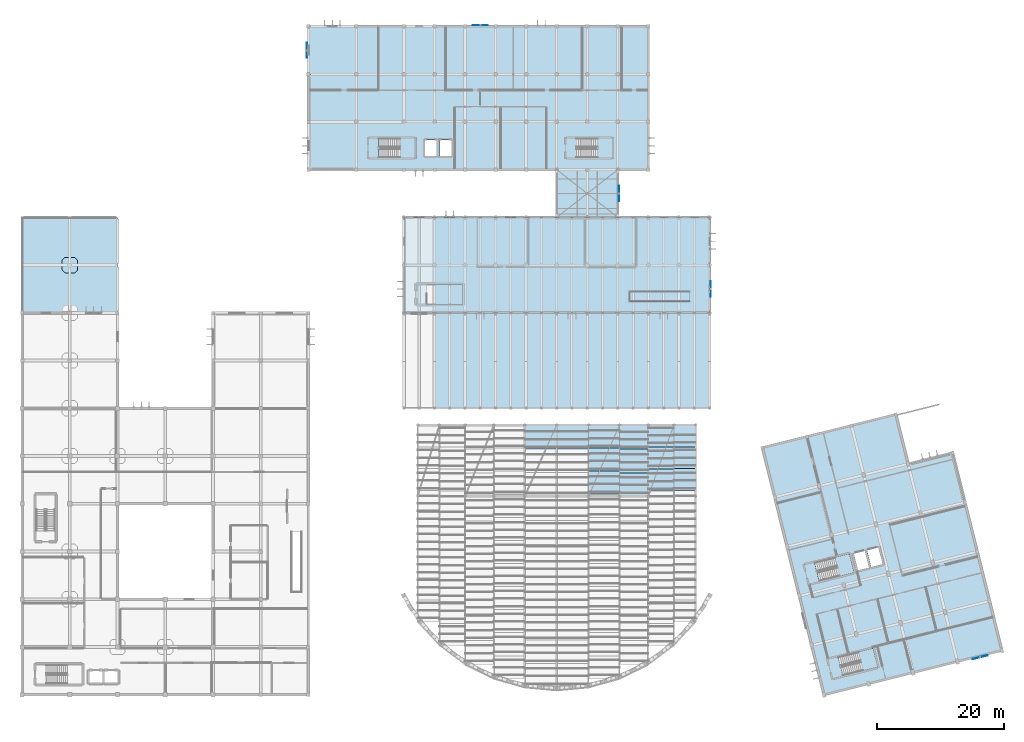
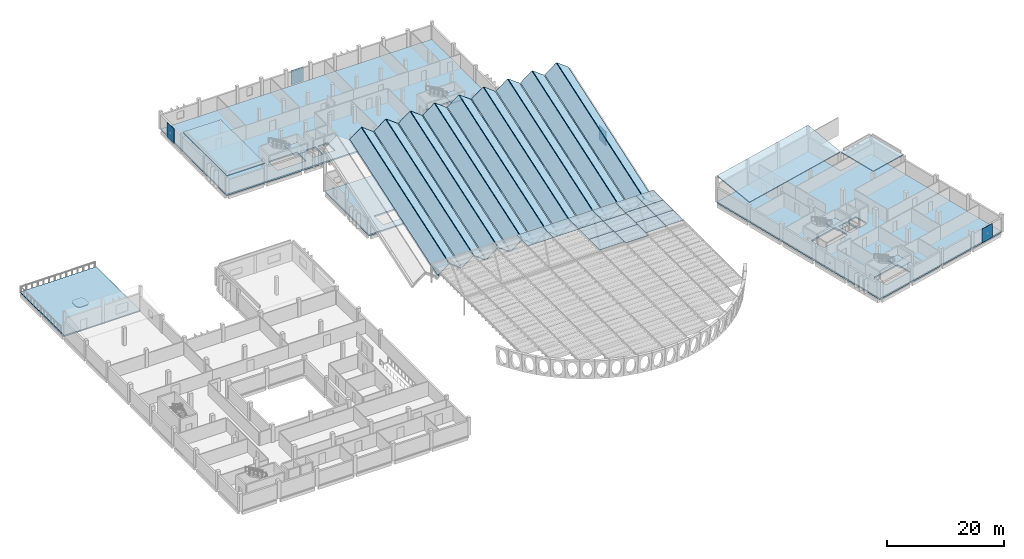
# One storey, part 20 of 47: 31 slabs, 19 plates, 4 elements without a shape of their own.
"""IFC4 building model written with IfcOpenShell, lengths in metres."""

from ifc_helpers import new_model, si_unit, direction, frame, origin, origin_2d, place, context, subcontext, project, spatial, polyline, rectangle, outline, extrude, material, layer, layer_set, type_object, element, aggregate, save


model = new_model("IFC4")

# Units and contexts
model_context = context("Model", 3, precision=1e-05, world=origin(), true_north=direction((0.0, 1.0)))
body_context = subcontext(model_context, "Body", "Model", "MODEL_VIEW")
ifc_project = project(units=[si_unit("LENGTHUNIT", "METRE"), si_unit("AREAUNIT", "SQUARE_METRE"), si_unit("VOLUMEUNIT", "CUBIC_METRE"), si_unit("PLANEANGLEUNIT", "RADIAN"), si_unit("MASSUNIT", "GRAM", prefix="KILO")], contexts=[model_context])

# Site, building, storey
site_placement = place(None, origin())
site = spatial("IfcSite", under=ifc_project, at=site_placement, CompositionType="ELEMENT")
building_placement = place(site_placement, origin())
building = spatial("IfcBuilding", under=site, at=building_placement, Name="Mawjan Specialist Oncology Clinic", CompositionType="ELEMENT")
storey_placement = place(building_placement, frame((0.0, 0.0, 9.5)))
storey = spatial("IfcBuildingStorey", under=building, at=storey_placement, Name="L02", CompositionType="ELEMENT", Elevation=9.5)

# Plates
ifc_material_1 = material(Name="Laminated solar-control safety glass", Category="glass")
ifc_layer_1 = layer(ifc_material_1, 0.028076171875, Name="Laminated solar-control safety glass", Category="glass")
ifc_layer_set_1 = layer_set([ifc_layer_1], Name="Laminated solar-control safety glass")
plate_type_1 = type_object("IfcPlateType", Name="CG-28", PredefinedType="SHEET", material=ifc_layer_set_1)
for number, where, z_axis, x_axis, name in (
    (1, (81.49072265625, 41.32373046875, 3.89990234375), (0.0, 0.0, 1.0), (1.0, 0.0, 0.0), "Canopy Laminated Glass Panel CG-051"),
    (2, (86.50927734375, 41.32373046875, 3.89990234375), (0.0, 0.0, 1.0), (1.0, 0.0, 0.0), "Canopy Laminated Glass Panel CG-062"),
):
    element("IfcPlate", number, at=place(storey_placement, frame(where, z_axis=z_axis, x_axis=x_axis)), inside=storey, type_object=plate_type_1, Name=name, PredefinedType="SHEET", context=body_context, shape_type="SweptSolid", body=[
        extrude(rectangle(XDim=5.018310546875, YDim=3.75244140625, at=origin_2d()), origin(), (0.0, 0.0, 1.0), 0.028076171875),
    ])
for number, where, z_axis, x_axis, name in (
    (3, (91.443603515625, 34.129638671875, 3.89990234375), (0.0, 0.0, 1.0), (1.0, 0.0, 0.0), "Canopy Laminated Glass Panel CG-071"),
    (4, (91.443603515625, 37.7578125, 3.89990234375), (0.0, 0.0, 1.0), (1.0, 0.0, 0.0), "Canopy Laminated Glass Panel CG-072"),
    (5, (91.443603515625, 41.385986328125, 3.89990234375), (0.0, 0.0, 1.0), (1.0, 0.0, 0.0), "Canopy Laminated Glass Panel CG-073"),
):
    element("IfcPlate", number, at=place(storey_placement, frame(where, z_axis=z_axis, x_axis=x_axis)), inside=storey, type_object=plate_type_1, Name=name, PredefinedType="SHEET", context=body_context, shape_type="SweptSolid", body=[
        extrude(rectangle(XDim=4.850341796875, YDim=3.628173828125, at=origin_2d()), origin(), (0.0, 0.0, 1.0), 0.028076171875),
    ])
for number, where, z_axis, x_axis, name in (
    (6, (96.128662109375, 33.780029296875, 3.89990234375), (0.0, 0.0, 1.0), (1.0, 0.0, 0.0), "Canopy Laminated Glass Panel CG-081"),
    (7, (96.128662109375, 37.548095703125, 3.89990234375), (0.0, 0.0, 1.0), (1.0, 0.0, 0.0), "Canopy Laminated Glass Panel CG-082"),
    (8, (96.128662109375, 41.31591796875, 3.89990234375), (0.0, 0.0, 1.0), (1.0, 0.0, 0.0), "Canopy Laminated Glass Panel CG-083"),
):
    element("IfcPlate", number, at=place(storey_placement, frame(where, z_axis=z_axis, x_axis=x_axis)), inside=storey, type_object=plate_type_1, Name=name, PredefinedType="SHEET", context=body_context, shape_type="SweptSolid", body=[
        extrude(rectangle(XDim=4.519775390625, YDim=3.76806640625, at=origin_2d()), origin(), (0.0, 0.0, 1.0), 0.028076171875),
    ])
for number, where, z_axis, x_axis, name in (
    (9, (100.40771484375, 34.53369140625, 3.89990234375), (0.0, 0.0, 1.0), (1.0, 0.0, 0.0), "Canopy Laminated Glass Panel CG-091"),
    (10, (100.40771484375, 38.000244140625, 3.89990234375), (0.0, 0.0, 1.0), (1.0, 0.0, 0.0), "Canopy Laminated Glass Panel CG-092"),
    (11, (100.40771484375, 41.466796875, 3.89990234375), (0.0, 0.0, 1.0), (1.0, 0.0, 0.0), "Canopy Laminated Glass Panel CG-093"),
):
    element("IfcPlate", number, at=place(storey_placement, frame(where, z_axis=z_axis, x_axis=x_axis)), inside=storey, type_object=plate_type_1, Name=name, PredefinedType="SHEET", context=body_context, shape_type="SweptSolid", body=[
        extrude(rectangle(XDim=4.0380859375, YDim=3.466552734375, at=origin_2d()), origin(), (0.0, 0.0, 1.0), 0.028076171875),
    ])
for number, where, z_axis, x_axis, name in (
    (12, (104.136962890625, 34.598876953125, 3.89990234375), (0.0, 0.0, 1.0), (1.0, 0.0, 0.0), "Canopy Laminated Glass Panel CG-100"),
    (13, (104.136962890625, 38.039306640625, 3.89990234375), (0.0, 0.0, 1.0), (1.0, 0.0, 0.0), "Canopy Laminated Glass Panel CG-101"),
    (14, (104.136962890625, 41.479736328125, 3.89990234375), (0.0, 0.0, 1.0), (1.0, 0.0, 0.0), "Canopy Laminated Glass Panel CG-102"),
):
    element("IfcPlate", number, at=place(storey_placement, frame(where, z_axis=z_axis, x_axis=x_axis)), inside=storey, type_object=plate_type_1, Name=name, PredefinedType="SHEET", context=body_context, shape_type="SweptSolid", body=[
        extrude(rectangle(XDim=3.4208984375, YDim=3.4404296875, at=origin_2d()), origin(), (0.0, 0.0, 1.0), 0.028076171875),
    ])

# Slabs
ifc_material_2 = material(Name="Concrete C35/45", Category="concrete")
ifc_layer_2 = layer(ifc_material_2, 0.219970703125, Name="Concrete C35/45", Category="concrete")
ifc_layer_set_2 = layer_set([ifc_layer_2], Name="Concrete C35/45")
slab_type_1 = type_object("IfcSlabType", Name="DP-220", PredefinedType="FLOOR", material=ifc_layer_set_2)
slab_1_placement = place(storey_placement, frame((0.0, 0.0, -0.469970703125)))
element("IfcSlab", 15, at=slab_1_placement, inside=storey, type_object=slab_type_1, Name="L02 Octagonal Column Drop Panel DP-L02-023", PredefinedType="FLOOR", context=body_context, shape_type="SweptSolid", body=[
    extrude(outline(polyline([(6.719970703125, 67.10009765625), (8.280029296875, 67.10009765625), (8.699951171875, 67.52001953125), (8.699951171875, 69.080078125), (8.280029296875, 69.5), (6.719970703125, 69.5), (6.300048828125, 69.080078125), (6.300048828125, 67.52001953125), (6.719970703125, 67.10009765625)])), origin(), (0.0, 0.0, 1.0), 0.219970703125),
])
ifc_material_3 = material(Name="Concrete C35/45", Category="concrete")
ifc_layer_3 = layer(ifc_material_3, 0.199951171875, Name="Concrete C35/45", Category="concrete")
ifc_layer_set_3 = layer_set([ifc_layer_3], Name="Concrete C35/45")
slab_type_2 = type_object("IfcSlabType", Name="FS-200B", PredefinedType="FLOOR", material=ifc_layer_set_3)
slab_2_placement = place(storey_placement, frame((0.0, 0.0, -0.199951171875)))
element("IfcSlab", 16, at=slab_2_placement, inside=storey, type_object=slab_type_2, Name="L02 Day Procedure and Pharmacy Wing Slab SLB-SBR-L02", PredefinedType="FLOOR", context=body_context, shape_type="SweptSolid", body=[
    extrude(outline(polyline([(84.0, 75.800048828125), (93.60009765625, 75.800048828125), (93.60009765625, 83.300048828125), (84.0, 83.300048828125), (84.0, 75.800048828125)])), origin(), (0.0, 0.0, 1.0), 0.199951171875),
])
ifc_material_4 = material(Name="Concrete C35/45", Category="concrete")
ifc_layer_4 = layer(ifc_material_4, 0.300048828125, Name="Concrete C35/45", Category="concrete")
ifc_layer_set_4 = layer_set([ifc_layer_4], Name="Concrete C35/45")
slab_type_3 = type_object("IfcSlabType", Name="FS-300", PredefinedType="FLOOR", material=ifc_layer_set_4)
slab_3_placement = place(storey_placement, frame((0.0, 0.0, -0.300048828125)))
element("IfcSlab", 17, at=slab_3_placement, inside=storey, type_object=slab_type_3, Name="L02 Treatment and Infusion Hall Slab SLB-V1-L02", PredefinedType="FLOOR", context=body_context, shape_type="SweptSolid", body=[
    extrude(outline(polyline([(60.0, 60.800048828125), (108.0, 60.800048828125), (108.0, 75.800048828125), (60.0, 75.800048828125), (60.0, 60.800048828125)]), holes=[polyline([(63.60009765625, 62.199951171875), (69.199951171875, 62.199951171875), (69.199951171875, 65.199951171875), (63.60009765625, 65.199951171875), (63.60009765625, 62.199951171875)]), polyline([(95.5, 62.625), (104.89990234375, 62.625), (104.89990234375, 64.074951171875), (95.5, 64.074951171875), (95.5, 62.625)])]), origin(), (0.0, 0.0, 1.0), 0.300048828125),
])
slab_4_placement = place(storey_placement, frame((0.0, 0.0, -0.300048828125)))
element("IfcSlab", 18, at=slab_4_placement, inside=storey, type_object=slab_type_3, Name="L02 Day Procedure and Pharmacy Wing Slab SLB-V5-L02", PredefinedType="FLOOR", context=body_context, shape_type="SweptSolid", body=[
    extrude(outline(polyline([(45.0, 83.300048828125), (98.39990234375, 83.300048828125), (98.39990234375, 105.800048828125), (45.0, 105.800048828125), (45.0, 83.300048828125)]), holes=[polyline([(56.10009765625, 85.199951171875), (61.699951171875, 85.199951171875), (61.699951171875, 88.199951171875), (56.10009765625, 88.199951171875), (56.10009765625, 85.199951171875)]), polyline([(63.25, 85.449951171875), (65.14990234375, 85.449951171875), (65.14990234375, 87.949951171875), (63.25, 87.949951171875), (63.25, 85.449951171875)]), polyline([(65.64990234375, 85.449951171875), (67.550048828125, 85.449951171875), (67.550048828125, 87.949951171875), (65.64990234375, 87.949951171875), (65.64990234375, 85.449951171875)]), polyline([(87.10009765625, 85.199951171875), (92.699951171875, 85.199951171875), (92.699951171875, 88.199951171875), (87.10009765625, 88.199951171875), (87.10009765625, 85.199951171875)])]), origin(), (0.0, 0.0, 1.0), 0.300048828125),
])
ifc_material_5 = material(Name="Concrete C35/45", Category="concrete")
ifc_layer_5 = layer(ifc_material_5, 0.300048828125, Name="Concrete C35/45", Category="concrete")
ifc_layer_set_5 = layer_set([ifc_layer_5], Name="Concrete C35/45")
slab_type_4 = type_object("IfcSlabType", Name="FS-300R", PredefinedType="FLOOR", material=ifc_layer_set_5)
slab_5_placement = place(storey_placement, frame((0.0, 0.0, -0.300048828125)))
element("IfcSlab", 19, at=slab_5_placement, inside=storey, type_object=slab_type_4, Name="L02 Research and Teaching Wing Slab SLB-V6-L02", PredefinedType="FLOOR", context=body_context, shape_type="SweptSolid", body=[
    extrude(outline(polyline([(126.0, 0.800048828125), (153.944580078125, 7.767333984375), (146.203125, 38.81689453125), (139.216796875, 37.074951171875), (137.281494140625, 44.83740234375), (116.3232421875, 39.61181640625), (126.0, 0.800048828125)]), holes=[polyline([(125.259521484375, 18.651123046875), (130.693115234375, 20.005859375), (129.96728515625, 22.916748046875), (124.53369140625, 21.56201171875), (125.259521484375, 18.651123046875)]), polyline([(131.28759765625, 20.30859375), (133.131103515625, 20.768310546875), (132.477783203125, 23.38818359375), (130.63427734375, 22.928466796875), (131.28759765625, 20.30859375)]), polyline([(133.422119140625, 20.8408203125), (135.265625, 21.300537109375), (134.612548828125, 23.92041015625), (132.76904296875, 23.460693359375), (133.422119140625, 20.8408203125)]), polyline([(128.9609375, 3.8056640625), (134.39453125, 5.160400390625), (133.668701171875, 8.0712890625), (128.235107421875, 6.716552734375), (128.9609375, 3.8056640625)])]), origin(), (0.0, 0.0, 1.0), 0.300048828125),
])

# Stair, slab
ifc_material_6 = material(Name="Concrete C35/45", Category="concrete")
stair_type = type_object("IfcStairType", Name="STR-CORE40", PredefinedType="HALF_TURN_STAIR", material=ifc_material_6)
stair_1_placement = place(storey_placement, origin())
stair_1 = element("IfcStair", 20, at=stair_1_placement, inside=storey, type_object=stair_type, Name="L02 Exit Stair ST-03", PredefinedType="HALF_TURN_STAIR")
ifc_material_7 = material(Name="Concrete C35/45", Category="concrete")
ifc_layer_6 = layer(ifc_material_7, 0.199951171875, Name="Concrete C35/45", Category="concrete")
ifc_layer_set_6 = layer_set([ifc_layer_6], Name="Concrete C35/45")
slab_type_5 = type_object("IfcSlabType", Name="LND-200", PredefinedType="LANDING", material=ifc_layer_set_6)
slab_6_placement = place(storey_placement, frame((0.0, 0.0, 1.800048828125)))
slab_6 = element("IfcSlab", 21, at=slab_6_placement, type_object=slab_type_5, Name="ST-03 landing 1", PredefinedType="LANDING", context=body_context, shape_type="SweptSolid", body=[
    extrude(outline(polyline([(59.363525390625, 85.15234375), (61.736572265625, 85.15234375), (61.736572265625, 88.24755859375), (59.363525390625, 88.24755859375), (59.363525390625, 85.15234375)])), origin(), (0.0, 0.0, 1.0), 0.199951171875),
])
aggregate(stair_1, [slab_6])

stair_2_placement = place(storey_placement, origin())
stair_2 = element("IfcStair", 22, at=stair_2_placement, inside=storey, type_object=stair_type, Name="L02 Exit Stair ST-04", PredefinedType="HALF_TURN_STAIR")
slab_7_placement = place(storey_placement, frame((0.0, 0.0, 1.800048828125)))
slab_7 = element("IfcSlab", 23, at=slab_7_placement, type_object=slab_type_5, Name="ST-04 landing 1", PredefinedType="LANDING", context=body_context, shape_type="SweptSolid", body=[
    extrude(outline(polyline([(90.363525390625, 85.15234375), (92.736572265625, 85.15234375), (92.736572265625, 88.24755859375), (90.363525390625, 88.24755859375), (90.363525390625, 85.15234375)])), origin(), (0.0, 0.0, 1.0), 0.199951171875),
])
aggregate(stair_2, [slab_7])

stair_3_placement = place(storey_placement, origin())
stair_3 = element("IfcStair", 24, at=stair_3_placement, inside=storey, type_object=stair_type, Name="L02 Exit Stair ST-05", PredefinedType="HALF_TURN_STAIR")
slab_8_placement = place(storey_placement, frame((0.0, 0.0, 1.800048828125)))
slab_8 = element("IfcSlab", 25, at=slab_8_placement, type_object=slab_type_5, Name="ST-05 landing 1", PredefinedType="LANDING", context=body_context, shape_type="SweptSolid", body=[
    extrude(outline(polyline([(128.4375, 19.394287109375), (130.739990234375, 19.968505859375), (129.9912109375, 22.9716796875), (127.688720703125, 22.397705078125), (128.4375, 19.394287109375)])), origin(), (0.0, 0.0, 1.0), 0.199951171875),
])
aggregate(stair_3, [slab_8])

stair_4_placement = place(storey_placement, origin())
stair_4 = element("IfcStair", 26, at=stair_4_placement, inside=storey, type_object=stair_type, Name="L02 Exit Stair ST-06", PredefinedType="HALF_TURN_STAIR")
slab_9_placement = place(storey_placement, frame((0.0, 0.0, 1.800048828125)))
slab_9 = element("IfcSlab", 27, at=slab_9_placement, type_object=slab_type_5, Name="ST-06 landing 1", PredefinedType="LANDING", context=body_context, shape_type="SweptSolid", body=[
    extrude(outline(polyline([(132.138916015625, 4.548828125), (134.44140625, 5.123046875), (133.692626953125, 8.126220703125), (131.39013671875, 7.55224609375), (132.138916015625, 4.548828125)])), origin(), (0.0, 0.0, 1.0), 0.199951171875),
])
aggregate(stair_4, [slab_9])

# Slabs
ifc_material_8 = material(Name="Concrete C45/55", Category="concrete")
ifc_layer_7 = layer(ifc_material_8, 0.179931640625, Name="Concrete C45/55", Category="concrete")
ifc_layer_set_7 = layer_set([ifc_layer_7], Name="Concrete C45/55")
slab_type_6 = type_object("IfcSlabType", Name="RF-FP180", PredefinedType="ROOF", material=ifc_layer_set_7)
slab_10_placement = place(storey_placement, frame((64.8798828125, 45.800048828125, -1.139892578125), z_axis=(-0.578923655714, -0.262472488193, 0.77198160198), x_axis=(0.800031111726, 0.0, 0.599958515458)))
element("IfcSlab", 28, at=slab_10_placement, inside=storey, type_object=slab_type_6, Name="Folded-Plate Roof Pleat 2 West Facet", PredefinedType="ROOF", context=body_context, shape_type="SweptSolid", body=[
    extrude(outline(polyline([(0.0, 0.0), (2.8249023475479493, 0.0), (8.944449910374905, 31.090032832644823), (6.119547562826955, 31.090032832644823), (0.0, 0.0)])), origin(), (0.0, 0.0, -1.0), 0.179931640625),
])
slab_11_placement = place(storey_placement, frame((67.260009765625, 45.800048828125, 0.554931640625), z_axis=(0.578923655714, -0.262472488193, 0.77198160198), x_axis=(0.800031111726, 0.0, -0.599958515458)))
element("IfcSlab", 29, at=slab_11_placement, inside=storey, type_object=slab_type_6, Name="Folded-Plate Roof Pleat 2 East Facet", PredefinedType="ROOF", context=body_context, shape_type="SweptSolid", body=[
    extrude(outline(polyline([(0.0, 0.0), (2.8249023475479493, 0.0), (-3.2946452152790053, 31.090032832644823), (-6.119547562826955, 31.090032832644823), (0.0, 0.0)])), origin(), (0.0, 0.0, -1.0), 0.179931640625),
])
slab_12_placement = place(storey_placement, frame((69.679931640625, 45.800048828125, -1.139892578125), z_axis=(-0.578923655714, -0.262472488193, 0.77198160198), x_axis=(0.800031111726, 0.0, 0.599958515458)))
element("IfcSlab", 30, at=slab_12_placement, inside=storey, type_object=slab_type_6, Name="Folded-Plate Roof Pleat 3 West Facet", PredefinedType="ROOF", context=body_context, shape_type="SweptSolid", body=[
    extrude(outline(polyline([(0.0, 0.0), (2.8249023475479493, 0.0), (8.944449910374905, 31.090032832644823), (6.119547562826955, 31.090032832644823), (0.0, 0.0)])), origin(), (0.0, 0.0, -1.0), 0.179931640625),
])
slab_13_placement = place(storey_placement, frame((72.06005859375, 45.800048828125, 0.554931640625), z_axis=(0.578923655714, -0.262472488193, 0.77198160198), x_axis=(0.800031111726, 0.0, -0.599958515458)))
element("IfcSlab", 31, at=slab_13_placement, inside=storey, type_object=slab_type_6, Name="Folded-Plate Roof Pleat 3 East Facet", PredefinedType="ROOF", context=body_context, shape_type="SweptSolid", body=[
    extrude(outline(polyline([(0.0, 0.0), (2.8249023475479493, 0.0), (-3.2946452152790053, 31.090032832644823), (-6.119547562826955, 31.090032832644823), (0.0, 0.0)])), origin(), (0.0, 0.0, -1.0), 0.179931640625),
])
slab_14_placement = place(storey_placement, frame((74.47998046875, 45.800048828125, -1.139892578125), z_axis=(-0.578923655714, -0.262472488193, 0.77198160198), x_axis=(0.800031111726, 0.0, 0.599958515458)))
element("IfcSlab", 32, at=slab_14_placement, inside=storey, type_object=slab_type_6, Name="Folded-Plate Roof Pleat 4 West Facet", PredefinedType="ROOF", context=body_context, shape_type="SweptSolid", body=[
    extrude(outline(polyline([(0.0, 0.0), (2.8249023475479493, 0.0), (8.944449910374905, 31.090032832644823), (6.119547562826955, 31.090032832644823), (0.0, 0.0)])), origin(), (0.0, 0.0, -1.0), 0.179931640625),
])
slab_15_placement = place(storey_placement, frame((76.860107421875, 45.800048828125, 0.554931640625), z_axis=(0.578923655714, -0.262472488193, 0.77198160198), x_axis=(0.800031111726, 0.0, -0.599958515458)))
element("IfcSlab", 33, at=slab_15_placement, inside=storey, type_object=slab_type_6, Name="Folded-Plate Roof Pleat 4 East Facet", PredefinedType="ROOF", context=body_context, shape_type="SweptSolid", body=[
    extrude(outline(polyline([(0.0, 0.0), (2.8249023475479493, 0.0), (-3.2946452152790053, 31.090032832644823), (-6.119547562826955, 31.090032832644823), (0.0, 0.0)])), origin(), (0.0, 0.0, -1.0), 0.179931640625),
])
slab_16_placement = place(storey_placement, frame((79.280029296875, 45.800048828125, -1.139892578125), z_axis=(-0.578923655714, -0.262472488193, 0.77198160198), x_axis=(0.800031111726, 0.0, 0.599958515458)))
element("IfcSlab", 34, at=slab_16_placement, inside=storey, type_object=slab_type_6, Name="Folded-Plate Roof Pleat 5 West Facet", PredefinedType="ROOF", context=body_context, shape_type="SweptSolid", body=[
    extrude(outline(polyline([(0.0, 0.0), (2.8249023475479493, 0.0), (8.944449910374905, 31.090032832644823), (6.119547562826955, 31.090032832644823), (0.0, 0.0)])), origin(), (0.0, 0.0, -1.0), 0.179931640625),
])
slab_17_placement = place(storey_placement, frame((81.659912109375, 45.800048828125, 0.554931640625), z_axis=(0.578923655714, -0.262472488193, 0.77198160198), x_axis=(0.800031111726, 0.0, -0.599958515458)))
element("IfcSlab", 35, at=slab_17_placement, inside=storey, type_object=slab_type_6, Name="Folded-Plate Roof Pleat 5 East Facet", PredefinedType="ROOF", context=body_context, shape_type="SweptSolid", body=[
    extrude(outline(polyline([(0.0, 0.0), (2.8249023475479493, 0.0), (-3.2946452152790053, 31.090032832644823), (-6.119547562826955, 31.090032832644823), (0.0, 0.0)])), origin(), (0.0, 0.0, -1.0), 0.179931640625),
])
slab_18_placement = place(storey_placement, frame((84.080078125, 45.800048828125, -1.139892578125), z_axis=(-0.578923655714, -0.262472488193, 0.77198160198), x_axis=(0.800031111726, 0.0, 0.599958515458)))
element("IfcSlab", 36, at=slab_18_placement, inside=storey, type_object=slab_type_6, Name="Folded-Plate Roof Pleat 6 West Facet", PredefinedType="ROOF", context=body_context, shape_type="SweptSolid", body=[
    extrude(outline(polyline([(0.0, 0.0), (2.8249023475479493, 0.0), (8.944449910374905, 31.090032832644823), (6.119547562826955, 31.090032832644823), (0.0, 0.0)])), origin(), (0.0, 0.0, -1.0), 0.179931640625),
])
slab_19_placement = place(storey_placement, frame((86.4599609375, 45.800048828125, 0.554931640625), z_axis=(0.578923655714, -0.262472488193, 0.77198160198), x_axis=(0.800031111726, 0.0, -0.599958515458)))
element("IfcSlab", 37, at=slab_19_placement, inside=storey, type_object=slab_type_6, Name="Folded-Plate Roof Pleat 6 East Facet", PredefinedType="ROOF", context=body_context, shape_type="SweptSolid", body=[
    extrude(outline(polyline([(0.0, 0.0), (2.8249023475479493, 0.0), (-3.2946452152790053, 31.090032832644823), (-6.119547562826955, 31.090032832644823), (0.0, 0.0)])), origin(), (0.0, 0.0, -1.0), 0.179931640625),
])
slab_20_placement = place(storey_placement, frame((88.8798828125, 45.800048828125, -1.139892578125), z_axis=(-0.578923655714, -0.262472488193, 0.77198160198), x_axis=(0.800031111726, 0.0, 0.599958515458)))
element("IfcSlab", 38, at=slab_20_placement, inside=storey, type_object=slab_type_6, Name="Folded-Plate Roof Pleat 7 West Facet", PredefinedType="ROOF", context=body_context, shape_type="SweptSolid", body=[
    extrude(outline(polyline([(0.0, 0.0), (2.8249023475479493, 0.0), (8.944449910374905, 31.090032832644823), (6.119547562826955, 31.090032832644823), (0.0, 0.0)])), origin(), (0.0, 0.0, -1.0), 0.179931640625),
])
slab_21_placement = place(storey_placement, frame((91.260009765625, 45.800048828125, 0.554931640625), z_axis=(0.578923655714, -0.262472488193, 0.77198160198), x_axis=(0.800031111726, 0.0, -0.599958515458)))
element("IfcSlab", 39, at=slab_21_placement, inside=storey, type_object=slab_type_6, Name="Folded-Plate Roof Pleat 7 East Facet", PredefinedType="ROOF", context=body_context, shape_type="SweptSolid", body=[
    extrude(outline(polyline([(0.0, 0.0), (2.8249023475479493, 0.0), (-3.2946452152790053, 31.090032832644823), (-6.119547562826955, 31.090032832644823), (0.0, 0.0)])), origin(), (0.0, 0.0, -1.0), 0.179931640625),
])
slab_22_placement = place(storey_placement, frame((93.679931640625, 45.800048828125, -1.139892578125), z_axis=(-0.578923655714, -0.262472488193, 0.77198160198), x_axis=(0.800031111726, 0.0, 0.599958515458)))
element("IfcSlab", 40, at=slab_22_placement, inside=storey, type_object=slab_type_6, Name="Folded-Plate Roof Pleat 8 West Facet", PredefinedType="ROOF", context=body_context, shape_type="SweptSolid", body=[
    extrude(outline(polyline([(0.0, 0.0), (2.8249023475479493, 0.0), (8.944449910374905, 31.090032832644823), (6.119547562826955, 31.090032832644823), (0.0, 0.0)])), origin(), (0.0, 0.0, -1.0), 0.179931640625),
])
slab_23_placement = place(storey_placement, frame((96.06005859375, 45.800048828125, 0.554931640625), z_axis=(0.578923655714, -0.262472488193, 0.77198160198), x_axis=(0.800031111726, 0.0, -0.599958515458)))
element("IfcSlab", 41, at=slab_23_placement, inside=storey, type_object=slab_type_6, Name="Folded-Plate Roof Pleat 8 East Facet", PredefinedType="ROOF", context=body_context, shape_type="SweptSolid", body=[
    extrude(outline(polyline([(0.0, 0.0), (2.8249023475479493, 0.0), (-3.2946452152790053, 31.090032832644823), (-6.119547562826955, 31.090032832644823), (0.0, 0.0)])), origin(), (0.0, 0.0, -1.0), 0.179931640625),
])
slab_24_placement = place(storey_placement, frame((98.47998046875, 45.800048828125, -1.139892578125), z_axis=(-0.578923655714, -0.262472488193, 0.77198160198), x_axis=(0.800031111726, 0.0, 0.599958515458)))
element("IfcSlab", 42, at=slab_24_placement, inside=storey, type_object=slab_type_6, Name="Folded-Plate Roof Pleat 9 West Facet", PredefinedType="ROOF", context=body_context, shape_type="SweptSolid", body=[
    extrude(outline(polyline([(0.0, 0.0), (2.8249023475479493, 0.0), (8.944449910374905, 31.090032832644823), (6.119547562826955, 31.090032832644823), (0.0, 0.0)])), origin(), (0.0, 0.0, -1.0), 0.179931640625),
])
slab_25_placement = place(storey_placement, frame((100.860107421875, 45.800048828125, 0.554931640625), z_axis=(0.578923655714, -0.262472488193, 0.77198160198), x_axis=(0.800031111726, 0.0, -0.599958515458)))
element("IfcSlab", 43, at=slab_25_placement, inside=storey, type_object=slab_type_6, Name="Folded-Plate Roof Pleat 9 East Facet", PredefinedType="ROOF", context=body_context, shape_type="SweptSolid", body=[
    extrude(outline(polyline([(0.0, 0.0), (2.8249023475479493, 0.0), (-3.2946452152790053, 31.090032832644823), (-6.119547562826955, 31.090032832644823), (0.0, 0.0)])), origin(), (0.0, 0.0, -1.0), 0.179931640625),
])
slab_26_placement = place(storey_placement, frame((103.280029296875, 45.800048828125, -1.139892578125), z_axis=(-0.578923655714, -0.262472488193, 0.77198160198), x_axis=(0.800031111726, 0.0, 0.599958515458)))
element("IfcSlab", 44, at=slab_26_placement, inside=storey, type_object=slab_type_6, Name="Folded-Plate Roof Pleat 10 West Facet", PredefinedType="ROOF", context=body_context, shape_type="SweptSolid", body=[
    extrude(outline(polyline([(0.0, 0.0), (2.8249023475479493, 0.0), (8.944449910374905, 31.090032832644823), (6.119547562826955, 31.090032832644823), (0.0, 0.0)])), origin(), (0.0, 0.0, -1.0), 0.179931640625),
])
slab_27_placement = place(storey_placement, frame((105.659912109375, 45.800048828125, 0.554931640625), z_axis=(0.578923655714, -0.262472488193, 0.77198160198), x_axis=(0.800031111726, 0.0, -0.599958515458)))
element("IfcSlab", 45, at=slab_27_placement, inside=storey, type_object=slab_type_6, Name="Folded-Plate Roof Pleat 10 East Facet", PredefinedType="ROOF", context=body_context, shape_type="SweptSolid", body=[
    extrude(outline(polyline([(0.0, 0.0), (2.8249023475479493, 0.0), (-3.2946452152790053, 31.090032832644823), (-6.119547562826955, 31.090032832644823), (0.0, 0.0)])), origin(), (0.0, 0.0, -1.0), 0.179931640625),
])
ifc_material_9 = material(Name="Concrete C35/45", Category="concrete")
ifc_layer_8 = layer(ifc_material_9, 0.199951171875, Name="Concrete C35/45", Category="concrete")
ifc_layer_set_8 = layer_set([ifc_layer_8], Name="Concrete C35/45")
slab_type_7 = type_object("IfcSlabType", Name="RF-OVR200", PredefinedType="ROOF", material=ifc_layer_set_8)
slab_28_placement = place(storey_placement, frame((0.0, 0.0, 3.699951171875)))
element("IfcSlab", 46, at=slab_28_placement, inside=storey, type_object=slab_type_7, Name="Day Procedure L02 West Step-Back Roof Deck", PredefinedType="ROOF", context=body_context, shape_type="SweptSolid", body=[
    extrude(outline(polyline([(45.0, 83.300048828125), (52.47998046875, 83.300048828125), (52.47998046875, 98.280029296875), (45.0, 98.280029296875), (45.0, 83.300048828125)])), origin(), (0.0, 0.0, 1.0), 0.199951171875),
])
slab_29_placement = place(storey_placement, frame((0.0, 0.0, 3.699951171875)))
element("IfcSlab", 47, at=slab_29_placement, inside=storey, type_object=slab_type_7, Name="Research Wing L02 East Step-Back Roof Deck", PredefinedType="ROOF", context=body_context, shape_type="SweptSolid", body=[
    extrude(outline(polyline([(141.166748046875, 29.3369140625), (148.133544921875, 31.073974609375), (146.203125, 38.81689453125), (139.236328125, 37.079833984375), (141.166748046875, 29.3369140625)])), origin(), (0.0, 0.0, 1.0), 0.199951171875),
])
ifc_material_10 = material(Name="Concrete C35/45", Category="concrete")
ifc_layer_9 = layer(ifc_material_10, 0.219970703125, Name="Concrete C35/45", Category="concrete")
ifc_layer_set_9 = layer_set([ifc_layer_9], Name="Concrete C35/45")
slab_type_8 = type_object("IfcSlabType", Name="RF-SLP220", PredefinedType="ROOF", material=ifc_layer_set_9)
slab_30_placement = place(storey_placement, frame((118.253662109375, 31.868896484375, 3.929931640625), z_axis=(0.045267905555, -0.181556998054, 0.982337962813), x_axis=(0.970295215189, 0.241923945449, -2.51307e-07)))
element("IfcSlab", 48, at=slab_30_placement, inside=storey, type_object=slab_type_8, Name="Research Wing L02 North Step-Back Sloped Roof", PredefinedType="ROOF", context=body_context, shape_type="SweptSolid", body=[
    extrude(outline(polyline([(0.0, 0.0), (21.600122844602094, 8.881784197001252e-16), (21.600006097429, 8.123467978672583), (0.000120141307175125, 8.12340995840156), (0.0, 0.0)])), origin(), (0.0, 0.0, -1.0), 0.219970703125),
])
ifc_material_11 = material(Name="Concrete C35/45", Category="concrete")
ifc_layer_10 = layer(ifc_material_11, 0.25, Name="Concrete C35/45", Category="concrete")
ifc_layer_set_10 = layer_set([ifc_layer_10], Name="Concrete C35/45")
slab_type_9 = type_object("IfcSlabType", Name="RT-250", PredefinedType="ROOF", material=ifc_layer_set_10)
slab_31_placement = place(storey_placement, frame((0.0, 0.0, -0.25)))
element("IfcSlab", 49, at=slab_31_placement, inside=storey, type_object=slab_type_9, Name="L02 Accessible Healing Terrace TER-V4-L02", PredefinedType="ROOF", context=body_context, shape_type="SweptSolid", body=[
    extrude(outline(polyline([(0.0, 60.800048828125), (15.0, 60.800048828125), (15.0, 75.800048828125), (0.0, 75.800048828125), (0.0, 60.800048828125)])), origin(), (0.0, 0.0, 1.0), 0.25),
])

# Plates
ifc_material_12 = material(Name="Perforated coral-toned GFRC rawshan screen", Category="stone")
ifc_layer_11 = layer(ifc_material_12, 0.06005859375, Name="Perforated coral-toned GFRC rawshan screen", Category="stone")
ifc_layer_set_11 = layer_set([ifc_layer_11], Name="Perforated coral-toned GFRC rawshan screen")
plate_type_2 = type_object("IfcPlateType", Name="RWS-60", PredefinedType="SHEET", material=ifc_layer_set_11)
plate_1_placement = place(storey_placement, frame((72.0, 105.9970703125, 0.0), z_axis=(0.0, 0.0, 1.0), x_axis=(1.0, 0.0, 0.0)))
element("IfcPlate", 50, at=plate_1_placement, inside=storey, type_object=plate_type_2, Name="L02 Perforated Rawshan Screen Panel 006", PredefinedType="SHEET", context=body_context, shape_type="SweptSolid", body=[
    extrude(rectangle(XDim=2.39990234375, YDim=0.06005859375, at=origin_2d()), origin(), (0.0, 0.0, 1.0), 2.985107421875),
])
plate_2_placement = place(storey_placement, frame((108.197021484375, 64.550048828125, 0.0), z_axis=(0.0, 0.0, 1.0), x_axis=(0.0, -1.0, 0.0)))
element("IfcPlate", 51, at=plate_2_placement, inside=storey, type_object=plate_type_2, Name="L02 Perforated Rawshan Screen Panel 008", PredefinedType="SHEET", context=body_context, shape_type="SweptSolid", body=[
    extrude(rectangle(XDim=2.39990234375, YDim=0.06005859375, at=origin_2d()), origin(), (0.0, 0.0, 1.0), 3.0576171875),
])
ifc_material_13 = material(Name="Perforated coral-toned GFRC rawshan screen", Category="stone")
ifc_layer_12 = layer(ifc_material_13, 0.074951171875, Name="Perforated coral-toned GFRC rawshan screen", Category="stone")
ifc_layer_set_12 = layer_set([ifc_layer_12], Name="Perforated coral-toned GFRC rawshan screen")
plate_type_3 = type_object("IfcPlateType", Name="RWS-75", PredefinedType="SHEET", material=ifc_layer_set_12)
plate_3_placement = place(storey_placement, frame((150.512939453125, 6.700927734375, 0.0), z_axis=(0.0, 0.0, 1.0), x_axis=(-0.970295726276, -0.2419218956, 0.0)))
element("IfcPlate", 52, at=plate_3_placement, inside=storey, type_object=plate_type_3, Name="L02 Perforated Rawshan Screen Panel 003", PredefinedType="SHEET", context=body_context, shape_type="SweptSolid", body=[
    extrude(rectangle(XDim=2.39990234375, YDim=0.074951171875, at=origin_2d()), origin(), (0.0, 0.0, 1.0), 2.885009765625),
])
for number, where, z_axis, x_axis, name in (
    (53, (44.79541015625, 102.050048828125, 0.0), (0.0, 0.0, 1.0), (0.0, 1.0, 0.0), "L02 Perforated Rawshan Screen Panel 005"),
    (54, (93.804443359375, 79.574951171875, 0.0), (0.0, 0.0, 1.0), (0.0, -1.0, 0.0), "L02 Perforated Rawshan Screen Panel 007"),
):
    element("IfcPlate", number, at=place(storey_placement, frame(where, z_axis=z_axis, x_axis=x_axis)), inside=storey, type_object=plate_type_3, Name=name, PredefinedType="SHEET", context=body_context, shape_type="SweptSolid", body=[
        extrude(rectangle(XDim=2.39990234375, YDim=0.074951171875, at=origin_2d()), origin(), (0.0, 0.0, 1.0), 3.034912109375),
    ])

save(model, "model.ifc")
